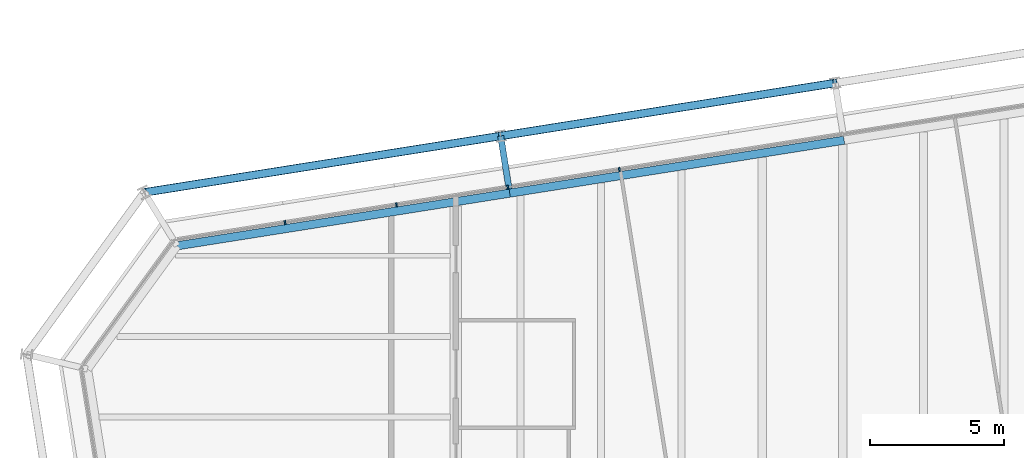
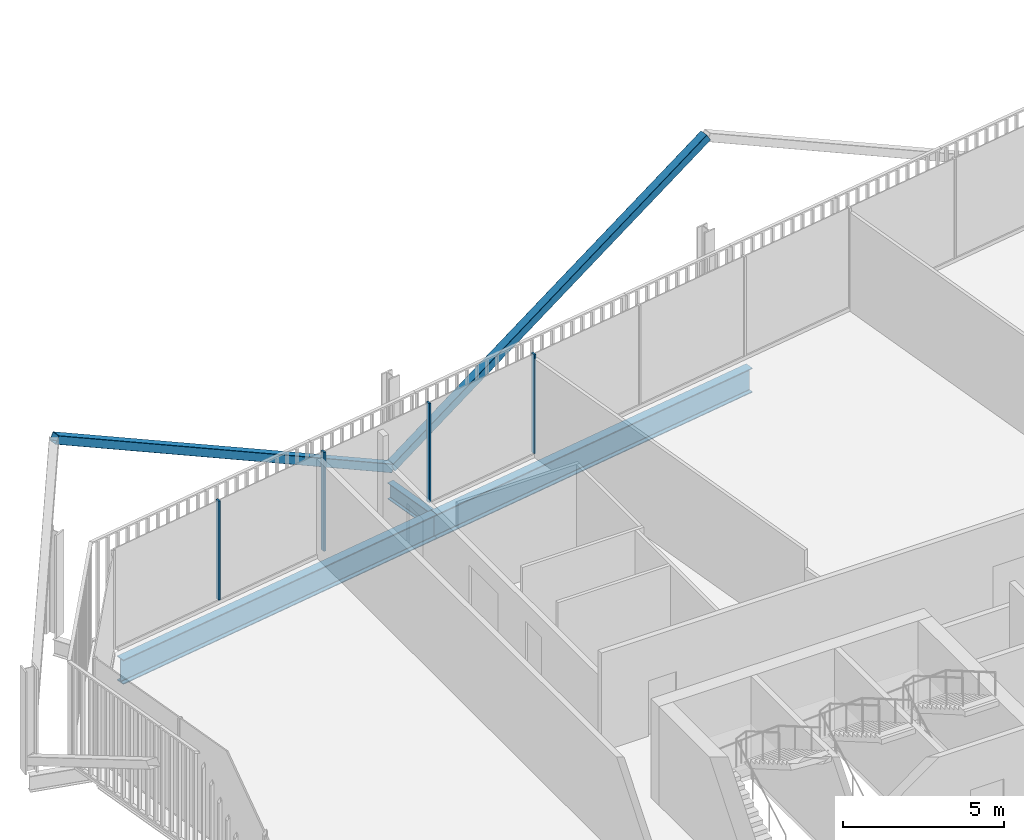
# One storey, part 13 of 21: 6 members, 3 beams, 1 element without a shape of its own.
"""IFC4 building model written with IfcOpenShell, lengths in metres."""

from ifc_helpers import new_model, si_unit, direction, frame, origin, origin_2d, place, context, subcontext, project, spatial, rectangle, hollow_rectangle, i_section, extrude, material, layer, layer_set, material_profile, profile_set, type_object, element, aggregate, save


model = new_model("IFC4")

# Units and contexts
model_context = context("Model", 3, precision=1e-05, world=origin(), true_north=direction((0.0, 1.0)))
body_context = subcontext(model_context, "Body", "Model", "MODEL_VIEW")
ifc_project = project(units=[si_unit("LENGTHUNIT", "METRE"), si_unit("AREAUNIT", "SQUARE_METRE"), si_unit("VOLUMEUNIT", "CUBIC_METRE"), si_unit("PLANEANGLEUNIT", "RADIAN"), si_unit("MASSUNIT", "GRAM", prefix="KILO")], contexts=[model_context])

# Site, building, storey
site_placement = place(None, origin())
site = spatial("IfcSite", under=ifc_project, at=site_placement, CompositionType="ELEMENT")
building_placement = place(site_placement, origin())
building = spatial("IfcBuilding", under=site, at=building_placement, Name="Millrace Tower", CompositionType="ELEMENT")
storey_placement = place(building_placement, frame((0.0, 0.0, 228.10009765625)))
storey = spatial("IfcBuildingStorey", under=building, at=storey_placement, Name="L52", CompositionType="ELEMENT", Elevation=228.10009765625)

# Curtain wall, members
ifc_material_1 = material(Name="Aluminium and glass", Category="aluminium")
ifc_layer = layer(ifc_material_1, 0.14990234375)
ifc_layer_set = layer_set([ifc_layer], Name="Aluminium and glass")
curtain_wall_type = type_object("IfcCurtainWallType", Name="CW-1 office vision curtain wall", PredefinedType="NOTDEFINED", material=ifc_layer_set)
curtain_wall_placement = place(storey_placement, origin())
curtain_wall = element("IfcCurtainWall", 1, at=curtain_wall_placement, inside=storey, type_object=curtain_wall_type, Name="Curtain wall D-F06 L52", PredefinedType="NOTDEFINED")
ifc_material_2 = material(Name="Aluminium", Category="aluminium")
ifc_material_profile_1 = material_profile(ifc_material_2, rectangle(XDim=0.06494140625, YDim=0.14990234375, at=origin_2d()))
ifc_profile_set_1 = profile_set([ifc_material_profile_1], Name="Aluminium")
member_type_1 = type_object("IfcMemberType", Name="CW-1 office vision curtain wall mullion", PredefinedType="MULLION", material=ifc_profile_set_1)
member_1_placement = place(storey_placement, frame((-8.31591796875, 27.207275390625, 0.139892578125), z_axis=(0.0, 0.0, 1.0), x_axis=(-0.987688339511, -0.156434471884, 0.0)))
member_1 = element("IfcMember", 2, at=member_1_placement, type_object=member_type_1, Name="CW1 mullion D-F06.6", PredefinedType="MULLION", context=body_context, shape_type="SweptSolid", body=[
    extrude(rectangle(XDim=0.06494140625, YDim=0.14990234375, at=origin_2d()), origin(), (0.0, 0.0, 1.0), 3.760009765625),
])
member_2_placement = place(storey_placement, frame((-12.46435546875, 26.55029296875, 0.139892578125), z_axis=(0.0, 0.0, 1.0), x_axis=(-0.987688339511, -0.156434471884, 0.0)))
member_2 = element("IfcMember", 3, at=member_2_placement, type_object=member_type_1, Name="CW1 mullion D-F06.7", PredefinedType="MULLION", context=body_context, shape_type="SweptSolid", body=[
    extrude(rectangle(XDim=0.06494140625, YDim=0.14990234375, at=origin_2d()), origin(), (0.0, 0.0, 1.0), 3.760009765625),
])
member_3_placement = place(storey_placement, frame((-16.612548828125, 25.893310546875, 0.139892578125), z_axis=(0.0, 0.0, 1.0), x_axis=(-0.987688339511, -0.156434471884, 0.0)))
member_3 = element("IfcMember", 4, at=member_3_placement, type_object=member_type_1, Name="CW1 mullion D-F06.8", PredefinedType="MULLION", context=body_context, shape_type="SweptSolid", body=[
    extrude(rectangle(XDim=0.06494140625, YDim=0.14990234375, at=origin_2d()), origin(), (0.0, 0.0, 1.0), 3.760009765625),
])
member_4_placement = place(storey_placement, frame((-20.7607421875, 25.236328125, 0.139892578125), z_axis=(0.0, 0.0, 1.0), x_axis=(-0.987688339511, -0.156434471884, 0.0)))
member_4 = element("IfcMember", 5, at=member_4_placement, type_object=member_type_1, Name="CW1 mullion D-F06.9", PredefinedType="MULLION", context=body_context, shape_type="SweptSolid", body=[
    extrude(rectangle(XDim=0.06494140625, YDim=0.14990234375, at=origin_2d()), origin(), (0.0, 0.0, 1.0), 3.760009765625),
])
aggregate(curtain_wall, [member_1, member_2, member_3, member_4])

# Members
ifc_material_3 = material(Name="Steel ASTM A500 Grade C", Category="steel")
ifc_material_profile_2 = material_profile(ifc_material_3, hollow_rectangle(XDim=0.3046875, YDim=0.3046875, WallThickness=0.0126953125, InnerFilletRadius=0.00634765625, OuterFilletRadius=0.01904296875, at=origin_2d()))
ifc_profile_set_2 = profile_set([ifc_material_profile_2], Name="Steel ASTM A500 Grade C")
member_type_2 = type_object("IfcMemberType", Name="Exoskeleton brace HSS12x12x1/2", PredefinedType="BRACE", material=ifc_profile_set_2)
member_5_placement = place(storey_placement, frame((-12.7333984375, 28.456787109375, 0.39990234375), z_axis=(0.86339943803, 0.136738080691, 0.485637835943), x_axis=(-0.156422238477, 0.987690277015, 0.0)))
element("IfcMember", 6, at=member_5_placement, inside=storey, type_object=member_type_2, Name="BRC-D-L52-11", PredefinedType="BRACE", context=body_context, shape_type="SweptSolid", body=[
    extrude(hollow_rectangle(XDim=0.3046875, YDim=0.3046875, WallThickness=0.0126953125, InnerFilletRadius=0.00634765625, OuterFilletRadius=0.01904296875, at=origin_2d()), origin(), (0.0, 0.0, 1.0), 14.4140625),
])
member_6_placement = place(storey_placement, frame((-12.7333984375, 28.456787109375, 0.39990234375), z_axis=(-0.875829804371, -0.138730151249, 0.462251121048), x_axis=(0.156448038127, -0.987686190734, 0.0)))
element("IfcMember", 7, at=member_6_placement, inside=storey, type_object=member_type_2, Name="BRC-D-L52-12", PredefinedType="BRACE", context=body_context, shape_type="SweptSolid", body=[
    extrude(hollow_rectangle(XDim=0.3046875, YDim=0.3046875, WallThickness=0.0126953125, InnerFilletRadius=0.00634765625, OuterFilletRadius=0.01904296875, at=origin_2d()), origin(), (0.0, 0.0, 1.0), 15.143310546875),
])

# Beams
ifc_material_4 = material(Name="Steel ASTM A992 Grade 50", Category="steel")
ifc_material_profile_3 = material_profile(ifc_material_4, i_section(OverallWidth=0.23046875, OverallDepth=0.6171875, WebThickness=0.01318359375, FlangeThickness=0.022216796875, FilletRadius=0.012939453125, at=origin_2d()))
ifc_profile_set_3 = profile_set([ifc_material_profile_3], Name="Steel ASTM A992 Grade 50")
beam_type_1 = type_object("IfcBeamType", Name="Link beam W24x94", PredefinedType="BEAM", material=ifc_profile_set_3)
beam_1_placement = place(storey_placement, frame((-12.42041015625, 26.481201171875, -0.46875), z_axis=(-0.156476509441, 0.987681680499, 0.0), x_axis=(-0.987681680499, -0.156476509441, 0.0)))
element("IfcBeam", 8, at=beam_1_placement, inside=storey, type_object=beam_type_1, Name="LNK-D-L52-S1-06", PredefinedType="BEAM", context=body_context, shape_type="SweptSolid", body=[
    extrude(i_section(OverallWidth=0.23046875, OverallDepth=0.6171875, WebThickness=0.01318359375, FlangeThickness=0.022216796875, FilletRadius=0.012939453125, at=origin_2d()), origin(), (0.0, 0.0, 1.0), 2.000244140625),
])
ifc_material_5 = material(Name="Steel ASTM A992 Grade 50", Category="steel")
ifc_material_profile_4 = material_profile(ifc_material_5, i_section(OverallWidth=0.307373046875, OverallDepth=0.927001953125, WebThickness=0.01953125, FlangeThickness=0.031982421875, FilletRadius=0.01904296875, at=origin_2d()))
ifc_profile_set_4 = profile_set([ifc_material_profile_4], Name="Steel ASTM A992 Grade 50")
beam_type_2 = type_object("IfcBeamType", Name="Ring beam medium span W36x194", PredefinedType="SPANDREL", material=ifc_profile_set_4)
beam_2_placement = place(storey_placement, frame((-24.7783203125, 24.368408203125, -0.62353515625), z_axis=(0.987687213011, 0.156441584157, 0.0), x_axis=(-0.156441584157, 0.987687213011, 0.0)))
element("IfcBeam", 9, at=beam_2_placement, inside=storey, type_object=beam_type_2, Name="RNG-D-L52-S1-05", PredefinedType="SPANDREL", context=body_context, shape_type="SweptSolid", body=[
    extrude(i_section(OverallWidth=0.307373046875, OverallDepth=0.927001953125, WebThickness=0.01953125, FlangeThickness=0.031982421875, FilletRadius=0.01904296875, at=origin_2d()), origin(), (0.0, 0.0, 1.0), 12.5361328125),
])
beam_3_placement = place(storey_placement, frame((-12.396484375, 26.32958984375, -0.62353515625), z_axis=(0.987690277015, 0.156422238477, 0.0), x_axis=(-0.156422238477, 0.987690277015, 0.0)))
element("IfcBeam", 10, at=beam_3_placement, inside=storey, type_object=beam_type_2, Name="RNG-D-L52-S1-06", PredefinedType="SPANDREL", context=body_context, shape_type="SweptSolid", body=[
    extrude(i_section(OverallWidth=0.307373046875, OverallDepth=0.927001953125, WebThickness=0.01953125, FlangeThickness=0.031982421875, FilletRadius=0.01904296875, at=origin_2d()), origin(), (0.0, 0.0, 1.0), 12.60009765625),
])

save(model, "model.ifc")
